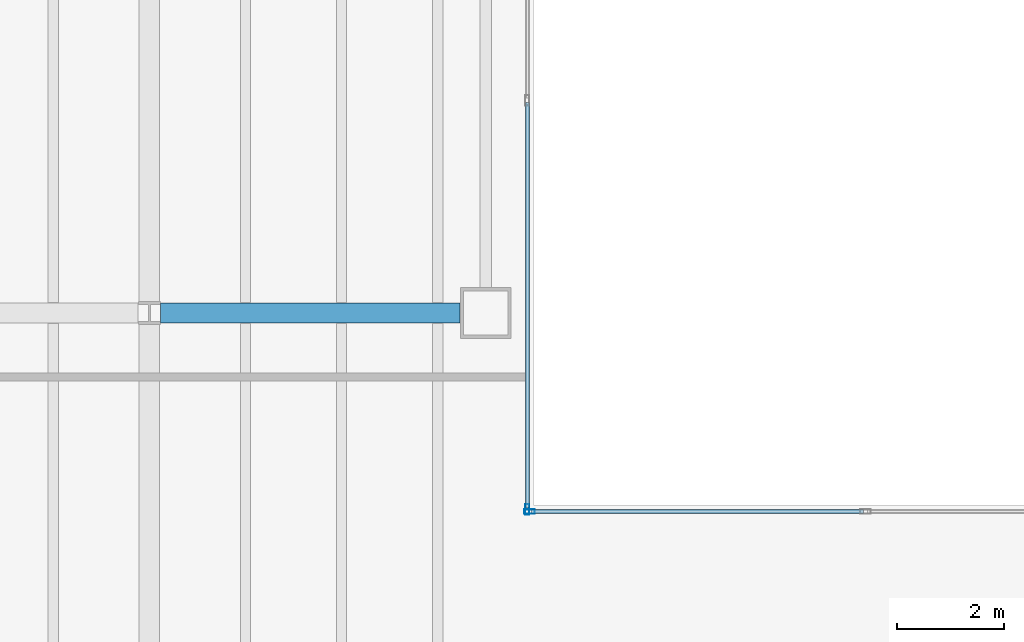
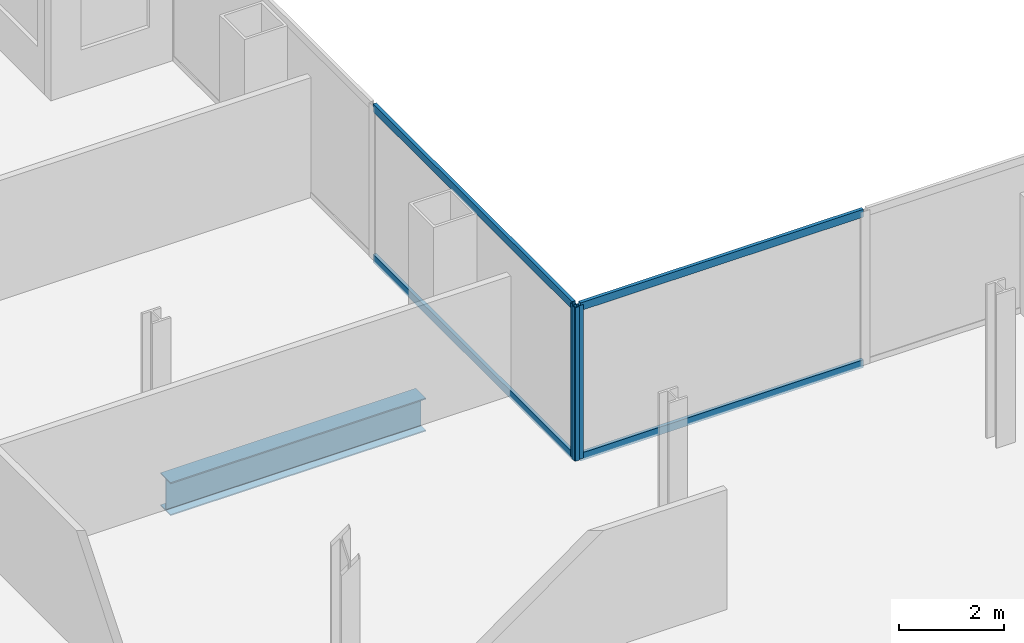
# One storey, part 6 of 23: 6 members, 1 beam, 2 elements without a shape of their own.
"""IFC4 building model written with IfcOpenShell, lengths in metres."""

from ifc_helpers import new_model, si_unit, direction, frame, origin, origin_2d, place, context, subcontext, project, spatial, hollow_rectangle, i_section, extrude, material, material_profile, profile_set, type_object, element, aggregate, save


model = new_model("IFC4")

# Units and contexts
model_context = context("Model", 3, precision=1e-05, world=origin(), true_north=direction((0.0, 1.0)))
body_context = subcontext(model_context, "Body", "Model", "MODEL_VIEW")
ifc_project = project(units=[si_unit("LENGTHUNIT", "METRE"), si_unit("AREAUNIT", "SQUARE_METRE"), si_unit("VOLUMEUNIT", "CUBIC_METRE"), si_unit("PLANEANGLEUNIT", "RADIAN"), si_unit("MASSUNIT", "GRAM", prefix="KILO")], contexts=[model_context])

# Site, building, storey
site_placement = place(None, origin())
site = spatial("IfcSite", under=ifc_project, at=site_placement, CompositionType="ELEMENT")
building_placement = place(site_placement, origin())
building = spatial("IfcBuilding", under=site, at=building_placement, Name="Cobrela Telecom Tower", CompositionType="ELEMENT")
storey_placement = place(building_placement, frame((0.0, 0.0, 88.89990234375)))
storey = spatial("IfcBuildingStorey", under=building, at=storey_placement, Name="L22", CompositionType="ELEMENT", Elevation=88.89990234375)

# Beam
ifc_material_1 = material(Name="Steel ASTM A992 Grade 50", Category="steel")
ifc_material_profile_1 = material_profile(ifc_material_1, i_section(OverallWidth=0.381103515625, OverallDepth=0.77197265625, WebThickness=0.0166015625, FlangeThickness=0.027099609375, FilletRadius=0.01904296875, at=origin_2d()), Name="W30X173")
ifc_profile_set_1 = profile_set([ifc_material_profile_1], Name="Steel ASTM A992 Grade 50")
beam_type = type_object("IfcBeamType", Name="BM-GIRD-04", PredefinedType="USERDEFINED", material=ifc_profile_set_1)
beam_placement = place(storey_placement, frame((21.8095703125, 28.800048828125, -0.666015625), z_axis=(1.0, 0.0, 0.0), x_axis=(0.0, 1.0, 0.0)))
element("IfcBeam", 1, at=beam_placement, inside=storey, type_object=beam_type, Name="L22 Primary Girder X24", ObjectType="GIRDER", PredefinedType="USERDEFINED", context=body_context, shape_type="SweptSolid", body=[
    extrude(i_section(OverallWidth=0.381103515625, OverallDepth=0.77197265625, WebThickness=0.0166015625, FlangeThickness=0.027099609375, FilletRadius=0.01904296875, at=origin_2d()), origin(), (0.0, 0.0, 1.0), 5.6103515625),
])

# Curtain wall, member
ifc_material_2 = material(Name="Anodized Bronze Aluminium 6063-T6", Category="aluminium")
curtain_wall_type = type_object("IfcCurtainWallType", Name="CW-SYS-DATA", PredefinedType="USERDEFINED", material=ifc_material_2)
curtain_wall_1_placement = place(storey_placement, origin())
curtain_wall_1 = element("IfcCurtainWall", 2, at=curtain_wall_1_placement, inside=storey, type_object=curtain_wall_type, Name="L22 Unitised Bronze Curtain Wall 10", ObjectType="UNITISED CURTAIN WALL", PredefinedType="USERDEFINED")
ifc_material_profile_2 = material_profile(ifc_material_2, hollow_rectangle(XDim=0.080078125, YDim=0.199951171875, WallThickness=0.00390625, at=origin_2d()), Name="ALU 80x200x4")
ifc_profile_set_2 = profile_set([ifc_material_profile_2], Name="Anodized Bronze Aluminium 6063-T6")
member_type_1 = type_object("IfcMemberType", Name="CW-SYS-DATA-MUL", PredefinedType="MULLION", material=ifc_profile_set_2)
member_1_placement = place(storey_placement, frame((28.679931640625, 25.1201171875, 0.0), z_axis=(0.0, 0.0, 1.0), x_axis=(1.0, 0.0, 0.0)))
member_1 = element("IfcMember", 3, at=member_1_placement, type_object=member_type_1, Name="CW-DATA mullion 3", PredefinedType="MULLION", context=body_context, shape_type="SweptSolid", body=[
    extrude(hollow_rectangle(XDim=0.080078125, YDim=0.199951171875, WallThickness=0.00390625, at=origin_2d()), origin(), (0.0, 0.0, 1.0), 3.570068359375),
])

curtain_wall_2_placement = place(storey_placement, origin())
curtain_wall_2 = element("IfcCurtainWall", 4, at=curtain_wall_2_placement, inside=storey, type_object=curtain_wall_type, Name="L22 Unitised Bronze Curtain Wall 11", ObjectType="UNITISED CURTAIN WALL", PredefinedType="USERDEFINED")
member_2_placement = place(storey_placement, frame((28.719970703125, 25.080078125, 0.0), z_axis=(0.0, 0.0, 1.0), x_axis=(0.0, 1.0, 0.0)))
member_2 = element("IfcMember", 5, at=member_2_placement, type_object=member_type_1, Name="CW-DATA mullion 1", PredefinedType="MULLION", context=body_context, shape_type="SweptSolid", body=[
    extrude(hollow_rectangle(XDim=0.080078125, YDim=0.199951171875, WallThickness=0.00390625, at=origin_2d()), origin(), (0.0, 0.0, 1.0), 3.570068359375),
])

# Member
ifc_material_profile_3 = material_profile(ifc_material_2, hollow_rectangle(XDim=0.074951171875, YDim=0.179931640625, WallThickness=0.00390625, at=origin_2d()), Name="ALU 75x180x4")
ifc_profile_set_3 = profile_set([ifc_material_profile_3], Name="Anodized Bronze Aluminium 6063-T6")
member_type_2 = type_object("IfcMemberType", Name="CW-SYS-DATA-TRN", PredefinedType="USERDEFINED", material=ifc_profile_set_3)
member_3_placement = place(storey_placement, frame((28.679931640625, 32.7451171875, 0.03759765625), z_axis=(0.0, -1.0, 0.0), x_axis=(1.0, 0.0, 0.0)))
member_3 = element("IfcMember", 6, at=member_3_placement, type_object=member_type_2, Name="CW-DATA transom 2.1", ObjectType="TRANSOM", PredefinedType="USERDEFINED", context=body_context, shape_type="SweptSolid", body=[
    extrude(hollow_rectangle(XDim=0.074951171875, YDim=0.179931640625, WallThickness=0.00390625, at=origin_2d()), origin(), (0.0, 0.0, 1.0), 7.585205078125),
])

member_4_placement = place(storey_placement, frame((28.679931640625, 32.7451171875, 3.53271484375), z_axis=(0.0, -1.0, 0.0), x_axis=(1.0, 0.0, 0.0)))
member_4 = element("IfcMember", 7, at=member_4_placement, type_object=member_type_2, Name="CW-DATA transom 2.2", ObjectType="TRANSOM", PredefinedType="USERDEFINED", context=body_context, shape_type="SweptSolid", body=[
    extrude(hollow_rectangle(XDim=0.074951171875, YDim=0.179931640625, WallThickness=0.00390625, at=origin_2d()), origin(), (0.0, 0.0, 1.0), 7.585205078125),
])

aggregate(curtain_wall_1, [member_1, member_3, member_4])

member_5_placement = place(storey_placement, frame((28.760009765625, 25.080078125, 0.03759765625), z_axis=(1.0, 0.0, 0.0), x_axis=(0.0, 1.0, 0.0)))
member_5 = element("IfcMember", 8, at=member_5_placement, type_object=member_type_2, Name="CW-DATA transom 1.1", ObjectType="TRANSOM", PredefinedType="USERDEFINED", context=body_context, shape_type="SweptSolid", body=[
    extrude(hollow_rectangle(XDim=0.074951171875, YDim=0.179931640625, WallThickness=0.00390625, at=origin_2d()), origin(), (0.0, 0.0, 1.0), 6.216552734375),
])

member_6_placement = place(storey_placement, frame((28.760009765625, 25.080078125, 3.53271484375), z_axis=(1.0, 0.0, 0.0), x_axis=(0.0, 1.0, 0.0)))
member_6 = element("IfcMember", 9, at=member_6_placement, type_object=member_type_2, Name="CW-DATA transom 1.2", ObjectType="TRANSOM", PredefinedType="USERDEFINED", context=body_context, shape_type="SweptSolid", body=[
    extrude(hollow_rectangle(XDim=0.074951171875, YDim=0.179931640625, WallThickness=0.00390625, at=origin_2d()), origin(), (0.0, 0.0, 1.0), 6.216552734375),
])

aggregate(curtain_wall_2, [member_2, member_5, member_6])

save(model, "model.ifc")
